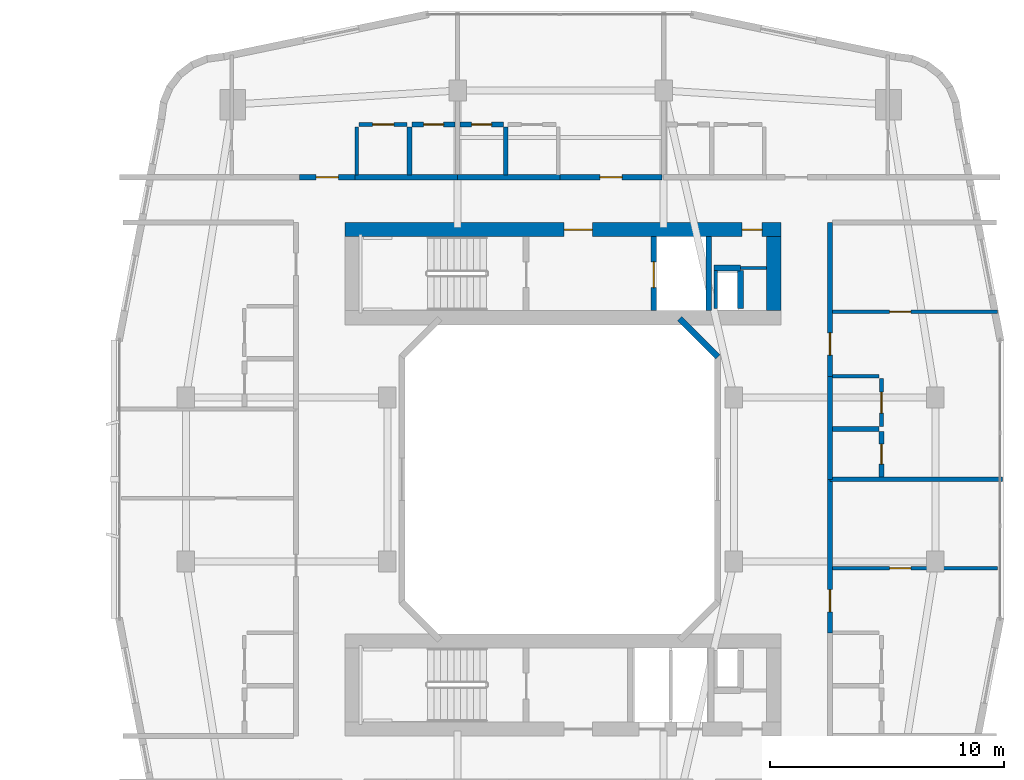
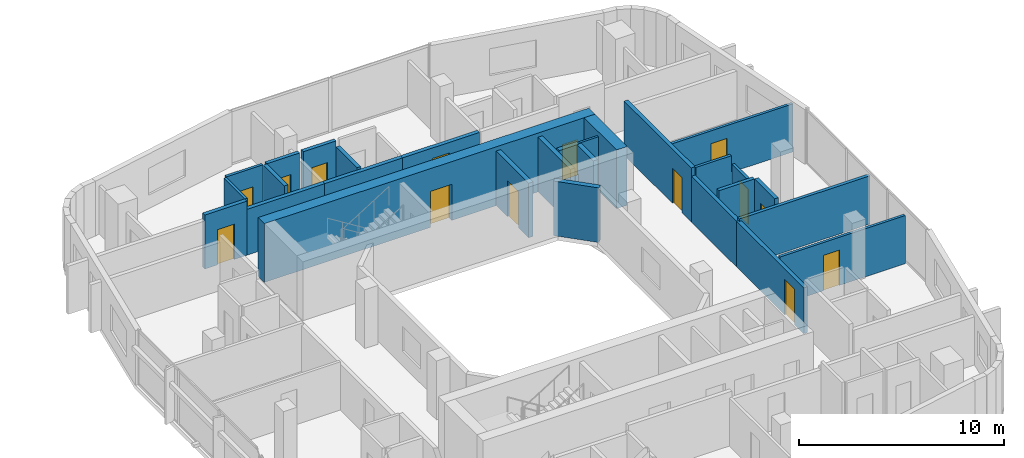
# One storey, part 20 of 27: 29 walls, 14 doors, 14 openings.
"""IFC4 building model written with IfcOpenShell, lengths in metres."""

from ifc_helpers import new_model, si_unit, derived_unit, direction, frame, frame_2d, origin, place, context, subcontext, project, spatial, rectangle, extrude, material, layer, layer_set, type_object, element, fill, save


model = new_model("IFC4")

# Units and contexts
model_context = context("Model", 3, precision=1e-05, world=origin(), true_north=direction((0.0, 1.0)))
body_context = subcontext(model_context, "Body", "Model", "MODEL_VIEW")
ifc_project = project(units=[si_unit("LENGTHUNIT", "METRE"), si_unit("AREAUNIT", "SQUARE_METRE"), si_unit("VOLUMEUNIT", "CUBIC_METRE"), si_unit("PLANEANGLEUNIT", "RADIAN"), si_unit("MASSUNIT", "GRAM", prefix="KILO"), derived_unit("THERMALTRANSMITTANCEUNIT", [(si_unit("POWERUNIT", "WATT"), 1), (si_unit("LENGTHUNIT", "METRE"), -2), (si_unit("THERMODYNAMICTEMPERATUREUNIT", "KELVIN"), -1)])], contexts=[model_context])

# Site, building, storey
site_placement = place(None, origin())
site = spatial("IfcSite", under=ifc_project, at=site_placement, CompositionType="ELEMENT")
building_placement = place(site_placement, origin())
building = spatial("IfcBuilding", under=site, at=building_placement, Name="Kivonza Crest Hotel", CompositionType="ELEMENT")
storey_placement = place(building_placement, frame((0.0, 0.0, 34.5)))
storey = spatial("IfcBuildingStorey", under=building, at=storey_placement, Name="L08", CompositionType="ELEMENT", Elevation=34.5)

# Walls
ifc_material_1 = material(Name="High-density acoustic masonry inter-tenancy wall", Category="masonry")
ifc_layer_1 = layer(ifc_material_1, 0.179931640625)
ifc_layer_set_1 = layer_set([ifc_layer_1], Name="High-density acoustic masonry inter-tenancy wall")
wall_type_1 = type_object("IfcWallType", Name="WL-ACOU-180", PredefinedType="SOLIDWALL", material=ifc_layer_set_1)
wall_1_placement = place(storey_placement, frame((88.5, 25.0, 0.0), z_axis=(0.0, 0.0, 1.0), x_axis=(1.0, 0.0, 0.0)))
element("IfcWall", 1, at=wall_1_placement, inside=storey, type_object=wall_type_1, Name="L08 interior partition WA-L08-T2E-DIV1", PredefinedType="SOLIDWALL", context=body_context, shape_type="SweptSolid", body=[
    extrude(rectangle(XDim=7.360107421875, YDim=0.179931640625, at=frame_2d((3.68017578125, 0.0))), origin(), (0.0, 0.0, 1.0), 2.864990234375),
])
ifc_material_2 = material(Name="Autoclaved aerated concrete blockwork", Category="masonry")
ifc_layer_2 = layer(ifc_material_2, 0.219970703125)
ifc_layer_set_2 = layer_set([ifc_layer_2], Name="Autoclaved aerated concrete blockwork")
wall_type_2 = type_object("IfcWallType", Name="WL-ACOU-220", PredefinedType="SOLIDWALL", material=ifc_layer_set_2)
wall_2_placement = place(storey_placement, frame((68.219970703125, 37.89990234375, 0.0), z_axis=(0.0, 0.0, 1.0), x_axis=(1.0, 0.0, 0.0)))
element("IfcWall", 2, at=wall_2_placement, inside=storey, type_object=wall_type_2, Name="L08 interior partition WA-L08-A01-RCORR", PredefinedType="SOLIDWALL", context=body_context, shape_type="SweptSolid", body=[
    extrude(rectangle(XDim=4.380126953125, YDim=0.219970703125, at=frame_2d((2.18994140625, 0.0))), origin(), (0.0, 0.0, 1.0), 2.72509765625),
])

# Wall, opening, door
wall_3_placement = place(storey_placement, frame((65.85009765625, 37.89990234375, 0.0), z_axis=(0.0, 0.0, 1.0), x_axis=(1.0, 0.0, 0.0)))
wall_3 = element("IfcWall", 3, at=wall_3_placement, inside=storey, type_object=wall_type_2, Name="L08 interior partition WA-L08-A01-MCORR", PredefinedType="SOLIDWALL", context=body_context, shape_type="SweptSolid", body=[
    extrude(rectangle(XDim=2.369873046875, YDim=0.219970703125, at=frame_2d((1.18505859375, 0.0))), origin(), (0.0, 0.0, 1.0), 3.219970703125),
])
opening_1_placement = place(wall_3_placement, frame((0.7099609375, 0.0, 0.0)))
opening_1 = element("IfcOpeningElement", 4, at=opening_1_placement, cuts=wall_3, Name="Opening DU-60", PredefinedType="OPENING", context=body_context, shape_type="SweptSolid", body=[
    extrude(rectangle(XDim=0.949951171875, YDim=2.10009765625, at=frame_2d((0.47509765625, 1.050048828125))), frame((0.0, 0.1201171875, 0.0), z_axis=(0.0, -1.0, 0.0), x_axis=(1.0, 0.0, 0.0)), (0.0, 0.0, 1.0), 0.239990234375),
])
ifc_material_3 = material(Name="Hardwood timber oak", Category="wood")
door_type_1 = type_object("IfcDoorType", Name="DR-UNIT-950", OperationType="NOTDEFINED", PredefinedType="DOOR", material=ifc_material_3)
door_1_placement = place(opening_1_placement, origin())
door_1 = element("IfcDoor", 5, at=door_1_placement, inside=storey, type_object=door_type_1, Name="L08 A01 apartment entrance fire door", OperationType="SINGLE_SWING_LEFT", OverallHeight=2.10009765625, OverallWidth=0.949951171875, PredefinedType="DOOR", context=body_context, shape_type="SweptSolid", body=[
    extrude(rectangle(XDim=0.949951171875, YDim=2.10009765625, at=frame_2d((0.47509765625, 1.050048828125))), frame((0.0, 0.02490234375, 0.0), z_axis=(0.0, -1.0, 0.0), x_axis=(1.0, 0.0, 0.0)), (0.0, 0.0, 1.0), 0.050048828125),
])
fill(opening_1, door_1)

# Wall
wall_4_placement = place(storey_placement, frame((72.60009765625, 37.89990234375, 0.0), z_axis=(0.0, 0.0, 1.0), x_axis=(1.0, 0.0, 0.0)))
element("IfcWall", 6, at=wall_4_placement, inside=storey, type_object=wall_type_2, Name="L08 interior partition WA-L08-A02-LCORR", PredefinedType="SOLIDWALL", context=body_context, shape_type="SweptSolid", body=[
    extrude(rectangle(XDim=4.3798828125, YDim=0.219970703125, at=frame_2d((2.18994140625, 0.0))), origin(), (0.0, 0.0, 1.0), 2.72509765625),
])

# Wall, opening, door
wall_5_placement = place(storey_placement, frame((76.97998046875, 37.89990234375, 0.0), z_axis=(0.0, 0.0, 1.0), x_axis=(1.0, 0.0, 0.0)))
wall_5 = element("IfcWall", 7, at=wall_5_placement, inside=storey, type_object=wall_type_2, Name="L08 interior partition WA-L08-A02-MCORR", PredefinedType="SOLIDWALL", context=body_context, shape_type="SweptSolid", body=[
    extrude(rectangle(XDim=4.340087890625, YDim=0.219970703125, at=frame_2d((2.169921875, 0.0))), origin(), (0.0, 0.0, 1.0), 2.72509765625),
])
opening_2_placement = place(wall_5_placement, frame((1.695068359375, 0.0, 0.0)))
opening_2 = element("IfcOpeningElement", 8, at=opening_2_placement, cuts=wall_5, Name="Opening DU-60", PredefinedType="OPENING", context=body_context, shape_type="SweptSolid", body=[
    extrude(rectangle(XDim=0.949951171875, YDim=2.10009765625, at=frame_2d((0.47509765625, 1.050048828125))), frame((0.0, 0.1201171875, 0.0), z_axis=(0.0, -1.0, 0.0), x_axis=(1.0, 0.0, 0.0)), (0.0, 0.0, 1.0), 0.239990234375),
])
door_2_placement = place(opening_2_placement, origin())
door_2 = element("IfcDoor", 9, at=door_2_placement, inside=storey, type_object=door_type_1, Name="L08 A02 apartment entrance fire door", OperationType="SINGLE_SWING_RIGHT", OverallHeight=2.10009765625, OverallWidth=0.949951171875, PredefinedType="DOOR", context=body_context, shape_type="SweptSolid", body=[
    extrude(rectangle(XDim=0.949951171875, YDim=2.10009765625, at=frame_2d((0.47509765625, 1.050048828125))), frame((0.0, 0.02490234375, 0.0), z_axis=(0.0, -1.0, 0.0), x_axis=(1.0, 0.0, 0.0)), (0.0, 0.0, 1.0), 0.050048828125),
])
fill(opening_2, door_2)

wall_6_placement = place(storey_placement, frame((88.5, 18.43994140625, 0.0), z_axis=(0.0, 0.0, 1.0), x_axis=(0.0, 1.0, 0.0)))
wall_6 = element("IfcWall", 10, at=wall_6_placement, inside=storey, type_object=wall_type_2, Name="L08 interior partition WA-L08-A08-MCORR", PredefinedType="SOLIDWALL", context=body_context, shape_type="SweptSolid", body=[
    extrude(rectangle(XDim=6.56005859375, YDim=0.219970703125, at=frame_2d((3.280029296875, 0.0))), origin(), (0.0, 0.0, 1.0), 2.72509765625),
])
opening_3_placement = place(wall_6_placement, frame((0.905029296875, 0.0, 0.0)))
opening_3 = element("IfcOpeningElement", 11, at=opening_3_placement, cuts=wall_6, Name="Opening DU-60", PredefinedType="OPENING", context=body_context, shape_type="SweptSolid", body=[
    extrude(rectangle(XDim=0.949951171875, YDim=2.10009765625, at=frame_2d((0.47509765625, 1.050048828125))), frame((0.0, 0.1201171875, 0.0), z_axis=(0.0, -1.0, 0.0), x_axis=(1.0, 0.0, 0.0)), (0.0, 0.0, 1.0), 0.239990234375),
])
door_3_placement = place(opening_3_placement, frame((0.949951171875, 0.0, 0.0), z_axis=(0.0, 0.0, 1.0), x_axis=(-1.0, 0.0, 0.0)))
door_3 = element("IfcDoor", 12, at=door_3_placement, inside=storey, type_object=door_type_1, Name="L08 A08 apartment entrance fire door", OperationType="SINGLE_SWING_RIGHT", OverallHeight=2.10009765625, OverallWidth=0.949951171875, PredefinedType="DOOR", context=body_context, shape_type="SweptSolid", body=[
    extrude(rectangle(XDim=0.949951171875, YDim=2.10009765625, at=frame_2d((0.47509765625, 1.050048828125))), frame((0.0, 0.02490234375, 0.0), z_axis=(0.0, -1.0, 0.0), x_axis=(1.0, 0.0, 0.0)), (0.0, 0.0, 1.0), 0.050048828125),
])
fill(opening_3, door_3)

# Wall
wall_7_placement = place(storey_placement, frame((88.5, 25.0, 0.0), z_axis=(0.0, 0.0, 1.0), x_axis=(0.0, 1.0, 0.0)))
element("IfcWall", 13, at=wall_7_placement, inside=storey, type_object=wall_type_2, Name="L08 interior partition WA-L08-A09-BCORR", PredefinedType="SOLIDWALL", context=body_context, shape_type="SweptSolid", body=[
    extrude(rectangle(XDim=4.39990234375, YDim=0.219970703125, at=frame_2d((2.199951171875, 0.0))), origin(), (0.0, 0.0, 1.0), 2.72509765625),
])

# Wall, opening, door
wall_8_placement = place(storey_placement, frame((88.5, 29.39990234375, 0.0), z_axis=(0.0, 0.0, 1.0), x_axis=(0.0, 1.0, 0.0)))
wall_8 = element("IfcWall", 14, at=wall_8_placement, inside=storey, type_object=wall_type_2, Name="L08 interior partition WA-L08-A09-MCORR", PredefinedType="SOLIDWALL", context=body_context, shape_type="SweptSolid", body=[
    extrude(rectangle(XDim=6.56005859375, YDim=0.219970703125, at=frame_2d((3.280029296875, 0.0))), origin(), (0.0, 0.0, 1.0), 3.219970703125),
])
opening_4_placement = place(wall_8_placement, frame((0.905029296875, 0.0, 0.0)))
opening_4 = element("IfcOpeningElement", 15, at=opening_4_placement, cuts=wall_8, Name="Opening DU-60", PredefinedType="OPENING", context=body_context, shape_type="SweptSolid", body=[
    extrude(rectangle(XDim=0.949951171875, YDim=2.10009765625, at=frame_2d((0.47509765625, 1.050048828125))), frame((0.0, 0.1201171875, 0.0), z_axis=(0.0, -1.0, 0.0), x_axis=(1.0, 0.0, 0.0)), (0.0, 0.0, 1.0), 0.239990234375),
])
door_4_placement = place(opening_4_placement, frame((0.949951171875, 0.0, 0.0), z_axis=(0.0, 0.0, 1.0), x_axis=(-1.0, 0.0, 0.0)))
door_4 = element("IfcDoor", 16, at=door_4_placement, inside=storey, type_object=door_type_1, Name="L08 A09 apartment entrance fire door", OperationType="SINGLE_SWING_LEFT", OverallHeight=2.10009765625, OverallWidth=0.949951171875, PredefinedType="DOOR", context=body_context, shape_type="SweptSolid", body=[
    extrude(rectangle(XDim=0.949951171875, YDim=2.10009765625, at=frame_2d((0.47509765625, 1.050048828125))), frame((0.0, 0.02490234375, 0.0), z_axis=(0.0, -1.0, 0.0), x_axis=(1.0, 0.0, 0.0)), (0.0, 0.0, 1.0), 0.050048828125),
])
fill(opening_4, door_4)

# Wall, openings, doors
ifc_material_4 = material(Name="Concrete C60/75", Category="concrete")
ifc_layer_3 = layer(ifc_material_4, 0.60009765625)
ifc_layer_set_3 = layer_set([ifc_layer_3], Name="Concrete C60/75")
wall_type_3 = type_object("IfcWallType", Name="WL-CORE-600", PredefinedType="SHEAR", material=ifc_layer_set_3)
wall_9_placement = place(storey_placement, frame((67.800048828125, 35.659912109375, 0.0), z_axis=(0.0, 0.0, 1.0), x_axis=(1.0, 0.0, 0.0)))
wall_9 = element("IfcWall", 17, at=wall_9_placement, inside=storey, type_object=wall_type_3, Name="Core wall T2-N North L08", PredefinedType="SHEAR", context=body_context, shape_type="SweptSolid", body=[
    extrude(rectangle(XDim=18.599853515625, YDim=0.60009765625, at=frame_2d((9.2998046875, 0.0))), origin(), (0.0, 0.0, 1.0), 3.5),
])
opening_5_placement = place(wall_9_placement, frame((9.35009765625, 0.0, 0.0)))
opening_5 = element("IfcOpeningElement", 18, at=opening_5_placement, cuts=wall_9, Name="Opening DF-60", PredefinedType="OPENING", context=body_context, shape_type="SweptSolid", body=[
    extrude(rectangle(XDim=1.199951171875, YDim=2.14990234375, at=frame_2d((0.60009765625, 1.074951171875))), frame((0.0, 0.31005859375, 0.0), z_axis=(0.0, -1.0, 0.0), x_axis=(1.0, 0.0, 0.0)), (0.0, 0.0, 1.0), 0.6201171875),
])
opening_6_placement = place(wall_9_placement, frame((16.949951171875, 0.0, 0.0)))
opening_6 = element("IfcOpeningElement", 19, at=opening_6_placement, cuts=wall_9, Name="Opening DF-60R", PredefinedType="OPENING", context=body_context, shape_type="SweptSolid", body=[
    extrude(rectangle(XDim=0.85009765625, YDim=2.10009765625, at=frame_2d((0.425048828125, 1.050048828125))), frame((0.0, 0.31005859375, 0.0), z_axis=(0.0, -1.0, 0.0), x_axis=(1.0, 0.0, 0.0)), (0.0, 0.0, 1.0), 0.6201171875),
])
door_type_2 = type_object("IfcDoorType", Name="DR-FD60-1200", OperationType="NOTDEFINED", PredefinedType="DOOR", material=ifc_material_3)
door_5_placement = place(opening_5_placement, origin())
door_5 = element("IfcDoor", 20, at=door_5_placement, inside=storey, type_object=door_type_2, Name="L08 T2-N firefighting lobby fire door", OperationType="SINGLE_SWING_RIGHT", OverallHeight=2.14990234375, OverallWidth=1.199951171875, PredefinedType="DOOR", context=body_context, shape_type="SweptSolid", body=[
    extrude(rectangle(XDim=1.199951171875, YDim=2.14990234375, at=frame_2d((0.60009765625, 1.074951171875))), frame((0.0, 0.02490234375, 0.0), z_axis=(0.0, -1.0, 0.0), x_axis=(1.0, 0.0, 0.0)), (0.0, 0.0, 1.0), 0.050048828125),
])
fill(opening_5, door_5)
door_type_3 = type_object("IfcDoorType", Name="DR-FD60-850", OperationType="NOTDEFINED", PredefinedType="DOOR", material=ifc_material_3)
door_6_placement = place(opening_6_placement, origin())
door_6 = element("IfcDoor", 21, at=door_6_placement, inside=storey, type_object=door_type_3, Name="L08 T2-N core room door", OperationType="SINGLE_SWING_RIGHT", OverallHeight=2.10009765625, OverallWidth=0.85009765625, PredefinedType="DOOR", context=body_context, shape_type="SweptSolid", body=[
    extrude(rectangle(XDim=0.85009765625, YDim=2.10009765625, at=frame_2d((0.425048828125, 1.050048828125))), frame((0.0, 0.02490234375, 0.0), z_axis=(0.0, -1.0, 0.0), x_axis=(1.0, 0.0, 0.0)), (0.0, 0.0, 1.0), 0.050048828125),
])
fill(opening_6, door_6)

# Walls
wall_10_placement = place(storey_placement, frame((86.10009765625, 32.199951171875, 0.0), z_axis=(0.0, 0.0, 1.0), x_axis=(0.0, 1.0, 0.0)))
element("IfcWall", 22, at=wall_10_placement, inside=storey, type_object=wall_type_3, Name="Core wall T2-N East L08", PredefinedType="SHEAR", context=body_context, shape_type="SweptSolid", body=[
    extrude(rectangle(XDim=3.16015625, YDim=0.60009765625, at=frame_2d((1.580078125, 0.0))), origin(), (0.0, 0.0, 1.0), 3.5),
])
ifc_material_5 = material(Name="Precast concrete C40/50", Category="concrete")
ifc_layer_4 = layer(ifc_material_5, 0.260009765625)
ifc_layer_set_4 = layer_set([ifc_layer_4], Name="Precast concrete C40/50")
wall_type_4 = type_object("IfcWallType", Name="WL-EXT-260", PredefinedType="STANDARD", material=ifc_layer_set_4)
wall_11_placement = place(storey_placement, frame((83.716064453125, 30.22802734375, 0.0), z_axis=(0.0, 0.0, 1.0), x_axis=(-0.707106781187, 0.707106781187, 0.0)))
element("IfcWall", 23, at=wall_11_placement, inside=storey, type_object=wall_type_4, Name="L08 T2 light-well exterior wall 4", PredefinedType="STANDARD", context=body_context, shape_type="SweptSolid", body=[
    extrude(rectangle(XDim=2.310791015625, YDim=0.260009765625, at=frame_2d((1.1552734375, 0.0))), origin(), (0.0, 0.0, 1.0), 3.25),
])
ifc_material_6 = material(Name="Concrete blockwork fire-compartment wall", Category="masonry")
ifc_layer_5 = layer(ifc_material_6, 0.25)
ifc_layer_set_5 = layer_set([ifc_layer_5], Name="Concrete blockwork fire-compartment wall")
wall_type_5 = type_object("IfcWallType", Name="WL-FIRE-250", PredefinedType="SOLIDWALL", material=ifc_layer_set_5)
wall_12_placement = place(storey_placement, frame((84.679931640625, 32.300048828125, 0.0), z_axis=(0.0, 0.0, 1.0), x_axis=(0.0, 1.0, 0.0)))
element("IfcWall", 24, at=wall_12_placement, inside=storey, type_object=wall_type_5, Name="L08 interior partition WA-L08-T2-N-MEPR-E", PredefinedType="SOLIDWALL", context=body_context, shape_type="SweptSolid", body=[
    extrude(rectangle(XDim=1.619873046875, YDim=0.25, at=frame_2d((0.81005859375, 0.0))), origin(), (0.0, 0.0, 1.0), 3.219970703125),
])
wall_13_placement = place(storey_placement, frame((83.550048828125, 34.02001953125, 0.0), z_axis=(0.0, 0.0, 1.0), x_axis=(1.0, 0.0, 0.0)))
element("IfcWall", 25, at=wall_13_placement, inside=storey, type_object=wall_type_5, Name="L08 interior partition WA-L08-T2-N-MEPR-H", PredefinedType="SOLIDWALL", context=body_context, shape_type="SweptSolid", body=[
    extrude(rectangle(XDim=1.1298828125, YDim=0.25, at=frame_2d((0.56494140625, 0.0))), origin(), (0.0, 0.0, 1.0), 3.219970703125),
])
ifc_material_7 = material(Name="Metal-stud gypsum board partition", Category="gypsum")
ifc_layer_6 = layer(ifc_material_7, 0.125)
ifc_layer_set_6 = layer_set([ifc_layer_6], Name="Metal-stud gypsum board partition")
wall_type_6 = type_object("IfcWallType", Name="WL-PART-125", PredefinedType="PARTITIONING", material=ifc_layer_set_6)
wall_14_placement = place(storey_placement, frame((84.679931640625, 34.02001953125, 0.0), z_axis=(0.0, 0.0, 1.0), x_axis=(1.0, 0.0, 0.0)))
element("IfcWall", 26, at=wall_14_placement, inside=storey, type_object=wall_type_6, Name="L08 interior partition WP-L08-T2-N-T2H", PredefinedType="PARTITIONING", context=body_context, shape_type="SweptSolid", body=[
    extrude(rectangle(XDim=1.1201171875, YDim=0.125, at=frame_2d((0.56005859375, 0.0))), origin(), (0.0, 0.0, 1.0), 3.219970703125),
])
ifc_material_8 = material(Name="Twin-stud acoustic gypsum board partition", Category="gypsum")
ifc_layer_7 = layer(ifc_material_8, 0.14990234375)
ifc_layer_set_7 = layer_set([ifc_layer_7], Name="Twin-stud acoustic gypsum board partition")
wall_type_7 = type_object("IfcWallType", Name="WL-PART-150", PredefinedType="PARTITIONING", material=ifc_layer_set_7)
wall_15_placement = place(storey_placement, frame((83.6298828125, 32.300048828125, 0.0), z_axis=(0.0, 0.0, 1.0), x_axis=(0.0, 1.0, 0.0)))
element("IfcWall", 27, at=wall_15_placement, inside=storey, type_object=wall_type_7, Name="L08 interior partition WA-L08-T2-N-MEPR-W", PredefinedType="PARTITIONING", context=body_context, shape_type="SweptSolid", body=[
    extrude(rectangle(XDim=1.619873046875, YDim=0.14990234375, at=frame_2d((0.81005859375, 0.0))), origin(), (0.0, 0.0, 1.0), 2.72509765625),
])
wall_16_placement = place(storey_placement, frame((68.300048828125, 38.0, 0.0), z_axis=(0.0, 0.0, 1.0), x_axis=(0.0, 1.0, 0.0)))
element("IfcWall", 28, at=wall_16_placement, inside=storey, type_object=wall_type_7, Name="L08 interior partition WP-L08-A01-KF", PredefinedType="PARTITIONING", context=body_context, shape_type="SweptSolid", body=[
    extrude(rectangle(XDim=2.050048828125, YDim=0.14990234375, at=frame_2d((1.02490234375, 0.0))), origin(), (0.0, 0.0, 1.0), 3.219970703125),
])

# Wall, opening, door
wall_17_placement = place(storey_placement, frame((68.39990234375, 40.14990234375, 0.0), z_axis=(0.0, 0.0, 1.0), x_axis=(1.0, 0.0, 0.0)))
wall_17 = element("IfcWall", 29, at=wall_17_placement, inside=storey, type_object=wall_type_7, Name="L08 interior partition WP-L08-A01-KSVC", PredefinedType="PARTITIONING", context=body_context, shape_type="SweptSolid", body=[
    extrude(rectangle(XDim=2.050048828125, YDim=0.14990234375, at=frame_2d((1.02490234375, 0.0))), origin(), (0.0, 0.0, 1.0), 3.219970703125),
])
opening_7_placement = place(wall_17_placement, frame((0.574951171875, 0.0, 0.0)))
opening_7 = element("IfcOpeningElement", 30, at=opening_7_placement, cuts=wall_17, Name="Opening DI-90", PredefinedType="OPENING", context=body_context, shape_type="SweptSolid", body=[
    extrude(rectangle(XDim=0.89990234375, YDim=2.10009765625, at=frame_2d((0.449951171875, 1.050048828125))), frame((0.0, 0.0849609375, 0.0), z_axis=(0.0, -1.0, 0.0), x_axis=(1.0, 0.0, 0.0)), (0.0, 0.0, 1.0), 0.169921875),
])
door_type_4 = type_object("IfcDoorType", Name="DR-INT-900", OperationType="NOTDEFINED", PredefinedType="DOOR", material=ifc_material_3)
door_7_placement = place(opening_7_placement, origin())
door_7 = element("IfcDoor", 31, at=door_7_placement, inside=storey, type_object=door_type_4, Name="L08 A01 apartment kitchen door", OperationType="SINGLE_SWING_LEFT", OverallHeight=2.10009765625, OverallWidth=0.89990234375, PredefinedType="DOOR", context=body_context, shape_type="SweptSolid", body=[
    extrude(rectangle(XDim=0.89990234375, YDim=2.10009765625, at=frame_2d((0.449951171875, 1.050048828125))), frame((0.0, 0.02490234375, 0.0), z_axis=(0.0, -1.0, 0.0), x_axis=(1.0, 0.0, 0.0)), (0.0, 0.0, 1.0), 0.050048828125),
])
fill(opening_7, door_7)

wall_18_placement = place(storey_placement, frame((88.60009765625, 21.199951171875, 0.0), z_axis=(0.0, 0.0, 1.0), x_axis=(1.0, 0.0, 0.0)))
wall_18 = element("IfcWall", 32, at=wall_18_placement, inside=storey, type_object=wall_type_7, Name="L08 interior partition WP-L08-A08-BD1", PredefinedType="PARTITIONING", context=body_context, shape_type="SweptSolid", body=[
    extrude(rectangle(XDim=7.059814453125, YDim=0.14990234375, at=frame_2d((3.52978515625, 0.0))), origin(), (0.0, 0.0, 1.0), 2.864990234375),
])
opening_8_placement = place(wall_18_placement, frame((2.449951171875, 0.0, 0.0)))
opening_8 = element("IfcOpeningElement", 33, at=opening_8_placement, cuts=wall_18, Name="Opening DI-90", PredefinedType="OPENING", context=body_context, shape_type="SweptSolid", body=[
    extrude(rectangle(XDim=0.89990234375, YDim=2.10009765625, at=frame_2d((0.449951171875, 1.050048828125))), frame((0.0, 0.0849609375, 0.0), z_axis=(0.0, -1.0, 0.0), x_axis=(1.0, 0.0, 0.0)), (0.0, 0.0, 1.0), 0.169921875),
])
door_8_placement = place(opening_8_placement, origin())
door_8 = element("IfcDoor", 34, at=door_8_placement, inside=storey, type_object=door_type_4, Name="L08 A08 bedroom door", OperationType="SINGLE_SWING_LEFT", OverallHeight=2.10009765625, OverallWidth=0.89990234375, PredefinedType="DOOR", context=body_context, shape_type="SweptSolid", body=[
    extrude(rectangle(XDim=0.89990234375, YDim=2.10009765625, at=frame_2d((0.449951171875, 1.050048828125))), frame((0.0, 0.02490234375, 0.0), z_axis=(0.0, -1.0, 0.0), x_axis=(1.0, 0.0, 0.0)), (0.0, 0.0, 1.0), 0.050048828125),
])
fill(opening_8, door_8)

wall_19_placement = place(storey_placement, frame((88.60009765625, 32.159912109375, 0.0), z_axis=(0.0, 0.0, 1.0), x_axis=(1.0, 0.0, 0.0)))
wall_19 = element("IfcWall", 35, at=wall_19_placement, inside=storey, type_object=wall_type_7, Name="L08 interior partition WP-L08-A09-BD1", PredefinedType="PARTITIONING", context=body_context, shape_type="SweptSolid", body=[
    extrude(rectangle(XDim=7.059814453125, YDim=0.14990234375, at=frame_2d((3.52978515625, 0.0))), origin(), (0.0, 0.0, 1.0), 2.864990234375),
])
opening_9_placement = place(wall_19_placement, frame((2.449951171875, 0.0, 0.0)))
opening_9 = element("IfcOpeningElement", 36, at=opening_9_placement, cuts=wall_19, Name="Opening DI-90", PredefinedType="OPENING", context=body_context, shape_type="SweptSolid", body=[
    extrude(rectangle(XDim=0.89990234375, YDim=2.10009765625, at=frame_2d((0.449951171875, 1.050048828125))), frame((0.0, 0.0849609375, 0.0), z_axis=(0.0, -1.0, 0.0), x_axis=(1.0, 0.0, 0.0)), (0.0, 0.0, 1.0), 0.169921875),
])
door_9_placement = place(opening_9_placement, origin())
door_9 = element("IfcDoor", 37, at=door_9_placement, inside=storey, type_object=door_type_4, Name="L08 A09 bedroom door", OperationType="SINGLE_SWING_RIGHT", OverallHeight=2.10009765625, OverallWidth=0.89990234375, PredefinedType="DOOR", context=body_context, shape_type="SweptSolid", body=[
    extrude(rectangle(XDim=0.89990234375, YDim=2.10009765625, at=frame_2d((0.449951171875, 1.050048828125))), frame((0.0, 0.02490234375, 0.0), z_axis=(0.0, -1.0, 0.0), x_axis=(1.0, 0.0, 0.0)), (0.0, 0.0, 1.0), 0.050048828125),
])
fill(opening_9, door_9)

# Wall
wall_20_placement = place(storey_placement, frame((88.60009765625, 29.39990234375, 0.0), z_axis=(0.0, 0.0, 1.0), x_axis=(1.0, 0.0, 0.0)))
element("IfcWall", 38, at=wall_20_placement, inside=storey, type_object=wall_type_7, Name="L08 interior partition WP-L08-A09-KF", PredefinedType="PARTITIONING", context=body_context, shape_type="SweptSolid", body=[
    extrude(rectangle(XDim=2.0, YDim=0.14990234375, at=frame_2d((1.0, 0.0))), origin(), (0.0, 0.0, 1.0), 3.219970703125),
])

# Wall, opening, door
wall_21_placement = place(storey_placement, frame((90.699951171875, 27.25, 0.0), z_axis=(0.0, 0.0, 1.0), x_axis=(0.0, 1.0, 0.0)))
wall_21 = element("IfcWall", 39, at=wall_21_placement, inside=storey, type_object=wall_type_7, Name="L08 interior partition WP-L08-A09-KSVC", PredefinedType="PARTITIONING", context=body_context, shape_type="SweptSolid", body=[
    extrude(rectangle(XDim=2.050048828125, YDim=0.14990234375, at=frame_2d((1.02490234375, 0.0))), origin(), (0.0, 0.0, 1.0), 2.72509765625),
])
opening_10_placement = place(wall_21_placement, frame((0.574951171875, 0.0, 0.0)))
opening_10 = element("IfcOpeningElement", 40, at=opening_10_placement, cuts=wall_21, Name="Opening DI-90", PredefinedType="OPENING", context=body_context, shape_type="SweptSolid", body=[
    extrude(rectangle(XDim=0.89990234375, YDim=2.10009765625, at=frame_2d((0.449951171875, 1.050048828125))), frame((0.0, 0.0849609375, 0.0), z_axis=(0.0, -1.0, 0.0), x_axis=(1.0, 0.0, 0.0)), (0.0, 0.0, 1.0), 0.169921875),
])
door_10_placement = place(opening_10_placement, frame((0.89990234375, 0.0, 0.0), z_axis=(0.0, 0.0, 1.0), x_axis=(-1.0, 0.0, 0.0)))
door_10 = element("IfcDoor", 41, at=door_10_placement, inside=storey, type_object=door_type_4, Name="L08 A09 apartment kitchen door", OperationType="SINGLE_SWING_LEFT", OverallHeight=2.10009765625, OverallWidth=0.89990234375, PredefinedType="DOOR", context=body_context, shape_type="SweptSolid", body=[
    extrude(rectangle(XDim=0.89990234375, YDim=2.10009765625, at=frame_2d((0.449951171875, 1.050048828125))), frame((0.0, 0.02490234375, 0.0), z_axis=(0.0, -1.0, 0.0), x_axis=(1.0, 0.0, 0.0)), (0.0, 0.0, 1.0), 0.050048828125),
])
fill(opening_10, door_10)

# Wall
ifc_material_9 = material(Name="Moisture-resistant plumbing chase partition wall", Category="gypsum")
ifc_layer_8 = layer(ifc_material_9, 0.199951171875)
ifc_layer_set_8 = layer_set([ifc_layer_8], Name="Moisture-resistant plumbing chase partition wall")
wall_type_8 = type_object("IfcWallType", Name="WL-PLUMB-200", PredefinedType="PLUMBINGWALL", material=ifc_layer_set_8)
wall_22_placement = place(storey_placement, frame((70.550048828125, 38.0, 0.0), z_axis=(0.0, 0.0, 1.0), x_axis=(0.0, 1.0, 0.0)))
element("IfcWall", 42, at=wall_22_placement, inside=storey, type_object=wall_type_8, Name="L08 interior partition WW-L08-A01-BK", PredefinedType="PLUMBINGWALL", context=body_context, shape_type="SweptSolid", body=[
    extrude(rectangle(XDim=2.050048828125, YDim=0.199951171875, at=frame_2d((1.02490234375, 0.0))), origin(), (0.0, 0.0, 1.0), 3.219970703125),
])

# Wall, opening, door
wall_23_placement = place(storey_placement, frame((70.64990234375, 40.14990234375, 0.0), z_axis=(0.0, 0.0, 1.0), x_axis=(1.0, 0.0, 0.0)))
wall_23 = element("IfcWall", 43, at=wall_23_placement, inside=storey, type_object=wall_type_8, Name="L08 interior partition WW-L08-A01-BSVC", PredefinedType="PLUMBINGWALL", context=body_context, shape_type="SweptSolid", body=[
    extrude(rectangle(XDim=1.85009765625, YDim=0.199951171875, at=frame_2d((0.925048828125, 0.0))), origin(), (0.0, 0.0, 1.0), 3.219970703125),
])
opening_11_placement = place(wall_23_placement, frame((0.5, 0.0, 0.0)))
opening_11 = element("IfcOpeningElement", 44, at=opening_11_placement, cuts=wall_23, Name="Opening DI-85", PredefinedType="OPENING", context=body_context, shape_type="SweptSolid", body=[
    extrude(rectangle(XDim=0.85009765625, YDim=2.10009765625, at=frame_2d((0.425048828125, 1.050048828125))), frame((0.0, 0.10986328125, 0.0), z_axis=(0.0, -1.0, 0.0), x_axis=(1.0, 0.0, 0.0)), (0.0, 0.0, 1.0), 0.219970703125),
])
door_type_5 = type_object("IfcDoorType", Name="DR-INT-850", OperationType="NOTDEFINED", PredefinedType="DOOR", material=ifc_material_3)
door_11_placement = place(opening_11_placement, origin())
door_11 = element("IfcDoor", 45, at=door_11_placement, inside=storey, type_object=door_type_5, Name="L08 A01 apartment bathroom door", OperationType="SINGLE_SWING_RIGHT", OverallHeight=2.10009765625, OverallWidth=0.85009765625, PredefinedType="DOOR", context=body_context, shape_type="SweptSolid", body=[
    extrude(rectangle(XDim=0.85009765625, YDim=2.10009765625, at=frame_2d((0.425048828125, 1.050048828125))), frame((0.0, 0.02490234375, 0.0), z_axis=(0.0, -1.0, 0.0), x_axis=(1.0, 0.0, 0.0)), (0.0, 0.0, 1.0), 0.050048828125),
])
fill(opening_11, door_11)

# Wall
wall_24_placement = place(storey_placement, frame((74.64990234375, 38.0, 0.0), z_axis=(0.0, 0.0, 1.0), x_axis=(0.0, 1.0, 0.0)))
element("IfcWall", 46, at=wall_24_placement, inside=storey, type_object=wall_type_8, Name="L08 interior partition WW-L08-A02-BK", PredefinedType="PLUMBINGWALL", context=body_context, shape_type="SweptSolid", body=[
    extrude(rectangle(XDim=2.050048828125, YDim=0.199951171875, at=frame_2d((1.02490234375, 0.0))), origin(), (0.0, 0.0, 1.0), 2.864990234375),
])

# Wall, opening, door
wall_25_placement = place(storey_placement, frame((72.699951171875, 40.14990234375, 0.0), z_axis=(0.0, 0.0, 1.0), x_axis=(1.0, 0.0, 0.0)))
wall_25 = element("IfcWall", 47, at=wall_25_placement, inside=storey, type_object=wall_type_8, Name="L08 interior partition WW-L08-A02-BSVC", PredefinedType="PLUMBINGWALL", context=body_context, shape_type="SweptSolid", body=[
    extrude(rectangle(XDim=1.85009765625, YDim=0.199951171875, at=frame_2d((0.925048828125, 0.0))), origin(), (0.0, 0.0, 1.0), 3.219970703125),
])
opening_12_placement = place(wall_25_placement, frame((0.5, 0.0, 0.0)))
opening_12 = element("IfcOpeningElement", 48, at=opening_12_placement, cuts=wall_25, Name="Opening DI-85", PredefinedType="OPENING", context=body_context, shape_type="SweptSolid", body=[
    extrude(rectangle(XDim=0.85009765625, YDim=2.10009765625, at=frame_2d((0.425048828125, 1.050048828125))), frame((0.0, 0.10986328125, 0.0), z_axis=(0.0, -1.0, 0.0), x_axis=(1.0, 0.0, 0.0)), (0.0, 0.0, 1.0), 0.219970703125),
])
door_12_placement = place(opening_12_placement, origin())
door_12 = element("IfcDoor", 49, at=door_12_placement, inside=storey, type_object=door_type_5, Name="L08 A02 apartment bathroom door", OperationType="SINGLE_SWING_LEFT", OverallHeight=2.10009765625, OverallWidth=0.85009765625, PredefinedType="DOOR", context=body_context, shape_type="SweptSolid", body=[
    extrude(rectangle(XDim=0.85009765625, YDim=2.10009765625, at=frame_2d((0.425048828125, 1.050048828125))), frame((0.0, 0.02490234375, 0.0), z_axis=(0.0, -1.0, 0.0), x_axis=(1.0, 0.0, 0.0)), (0.0, 0.0, 1.0), 0.050048828125),
])
fill(opening_12, door_12)

# Wall
wall_26_placement = place(storey_placement, frame((88.60009765625, 27.14990234375, 0.0), z_axis=(0.0, 0.0, 1.0), x_axis=(1.0, 0.0, 0.0)))
element("IfcWall", 50, at=wall_26_placement, inside=storey, type_object=wall_type_8, Name="L08 interior partition WW-L08-A09-BK", PredefinedType="PLUMBINGWALL", context=body_context, shape_type="SweptSolid", body=[
    extrude(rectangle(XDim=2.0, YDim=0.199951171875, at=frame_2d((1.0, 0.0))), origin(), (0.0, 0.0, 1.0), 3.219970703125),
])

# Wall, opening, door
wall_27_placement = place(storey_placement, frame((90.699951171875, 25.10009765625, 0.0), z_axis=(0.0, 0.0, 1.0), x_axis=(0.0, 1.0, 0.0)))
wall_27 = element("IfcWall", 51, at=wall_27_placement, inside=storey, type_object=wall_type_8, Name="L08 interior partition WW-L08-A09-BSVC", PredefinedType="PLUMBINGWALL", context=body_context, shape_type="SweptSolid", body=[
    extrude(rectangle(XDim=1.949951171875, YDim=0.199951171875, at=frame_2d((0.97509765625, 0.0))), origin(), (0.0, 0.0, 1.0), 3.219970703125),
])
opening_13_placement = place(wall_27_placement, frame((0.550048828125, 0.0, 0.0)))
opening_13 = element("IfcOpeningElement", 52, at=opening_13_placement, cuts=wall_27, Name="Opening DI-85", PredefinedType="OPENING", context=body_context, shape_type="SweptSolid", body=[
    extrude(rectangle(XDim=0.85009765625, YDim=2.10009765625, at=frame_2d((0.425048828125, 1.050048828125))), frame((0.0, 0.10986328125, 0.0), z_axis=(0.0, -1.0, 0.0), x_axis=(1.0, 0.0, 0.0)), (0.0, 0.0, 1.0), 0.219970703125),
])
door_13_placement = place(opening_13_placement, frame((0.85009765625, 0.0, 0.0), z_axis=(0.0, 0.0, 1.0), x_axis=(-1.0, 0.0, 0.0)))
door_13 = element("IfcDoor", 53, at=door_13_placement, inside=storey, type_object=door_type_5, Name="L08 A09 apartment bathroom door", OperationType="SINGLE_SWING_RIGHT", OverallHeight=2.10009765625, OverallWidth=0.85009765625, PredefinedType="DOOR", context=body_context, shape_type="SweptSolid", body=[
    extrude(rectangle(XDim=0.85009765625, YDim=2.10009765625, at=frame_2d((0.425048828125, 1.050048828125))), frame((0.0, 0.02490234375, 0.0), z_axis=(0.0, -1.0, 0.0), x_axis=(1.0, 0.0, 0.0)), (0.0, 0.0, 1.0), 0.050048828125),
])
fill(opening_13, door_13)

ifc_material_10 = material(Name="Concrete C50/60", Category="concrete")
ifc_layer_9 = layer(ifc_material_10, 0.25)
ifc_layer_set_9 = layer_set([ifc_layer_9], Name="Concrete C50/60")
wall_type_9 = type_object("IfcWallType", Name="WL-SHAFT-250", PredefinedType="STANDARD", material=ifc_layer_set_9)
wall_28_placement = place(storey_placement, frame((80.97509765625, 32.199951171875, 0.0), z_axis=(0.0, 0.0, 1.0), x_axis=(0.0, 1.0, 0.0)))
wall_28 = element("IfcWall", 54, at=wall_28_placement, inside=storey, type_object=wall_type_9, Name="Core shaft wall T2-N FFL-W L08", PredefinedType="STANDARD", context=body_context, shape_type="SweptSolid", body=[
    extrude(rectangle(XDim=3.16015625, YDim=0.25, at=frame_2d((1.580078125, 0.0))), origin(), (0.0, 0.0, 1.0), 3.25),
])
opening_14_placement = place(wall_28_placement, frame((0.97998046875, 0.0, 0.0)))
opening_14 = element("IfcOpeningElement", 55, at=opening_14_placement, cuts=wall_28, Name="Opening LD-120", PredefinedType="OPENING", context=body_context, shape_type="SweptSolid", body=[
    extrude(rectangle(XDim=1.10009765625, YDim=2.14990234375, at=frame_2d((0.550048828125, 1.074951171875))), frame((0.0, 0.135009765625, 0.0), z_axis=(0.0, -1.0, 0.0), x_axis=(1.0, 0.0, 0.0)), (0.0, 0.0, 1.0), 0.27001953125),
])
ifc_material_11 = material(Name="Stainless steel", Category="steel")
door_type_6 = type_object("IfcDoorType", Name="DR-LD120-1100", OperationType="NOTDEFINED", PredefinedType="DOOR", material=ifc_material_11)
door_14_placement = place(opening_14_placement, origin())
door_14 = element("IfcDoor", 56, at=door_14_placement, inside=storey, type_object=door_type_6, Name="L08 FFL-T2 firefighting lift sliding landing door", OperationType="DOUBLE_DOOR_SLIDING", OverallHeight=2.14990234375, OverallWidth=1.10009765625, PredefinedType="DOOR", context=body_context, shape_type="SweptSolid", body=[
    extrude(rectangle(XDim=1.10009765625, YDim=2.14990234375, at=frame_2d((0.550048828125, 1.074951171875))), frame((0.0, 0.02490234375, 0.0), z_axis=(0.0, -1.0, 0.0), x_axis=(1.0, 0.0, 0.0)), (0.0, 0.0, 1.0), 0.050048828125),
])
fill(opening_14, door_14)

# Wall
wall_29_placement = place(storey_placement, frame((83.324951171875, 32.199951171875, 0.0), z_axis=(0.0, 0.0, 1.0), x_axis=(0.0, 1.0, 0.0)))
element("IfcWall", 57, at=wall_29_placement, inside=storey, type_object=wall_type_9, Name="Core shaft wall T2-N FFL-E L08", PredefinedType="STANDARD", context=body_context, shape_type="SweptSolid", body=[
    extrude(rectangle(XDim=3.16015625, YDim=0.25, at=frame_2d((1.580078125, 0.0))), origin(), (0.0, 0.0, 1.0), 3.25),
])

save(model, "model.ifc")
